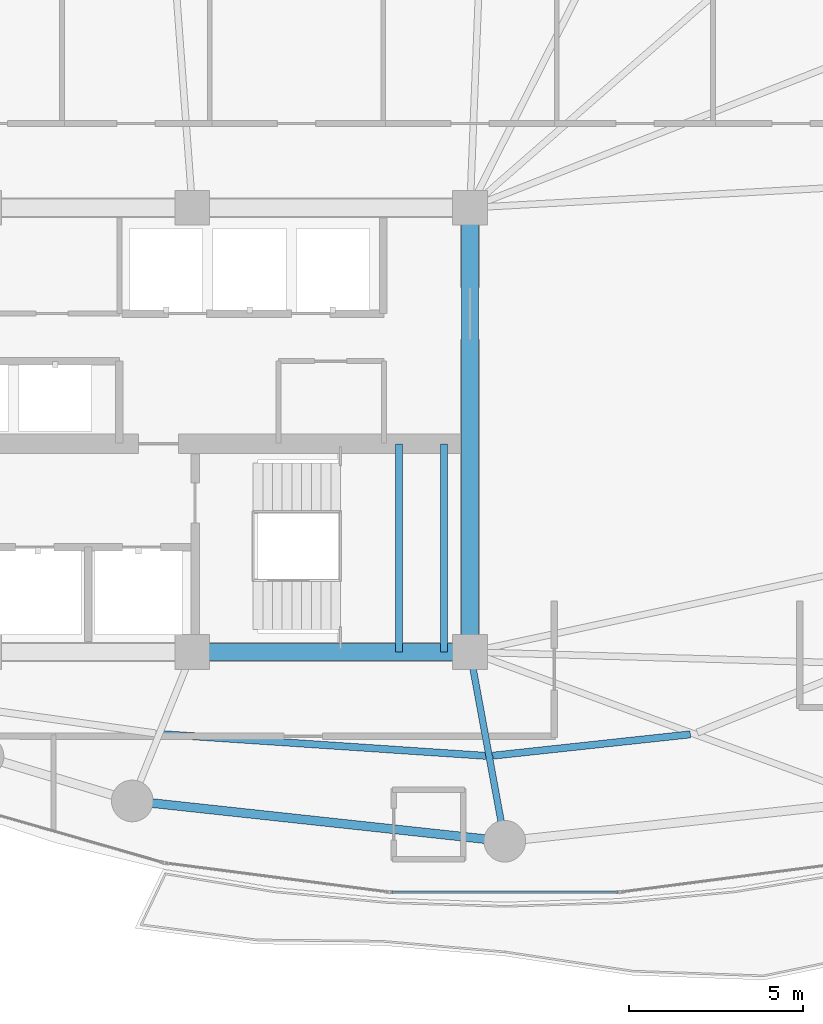
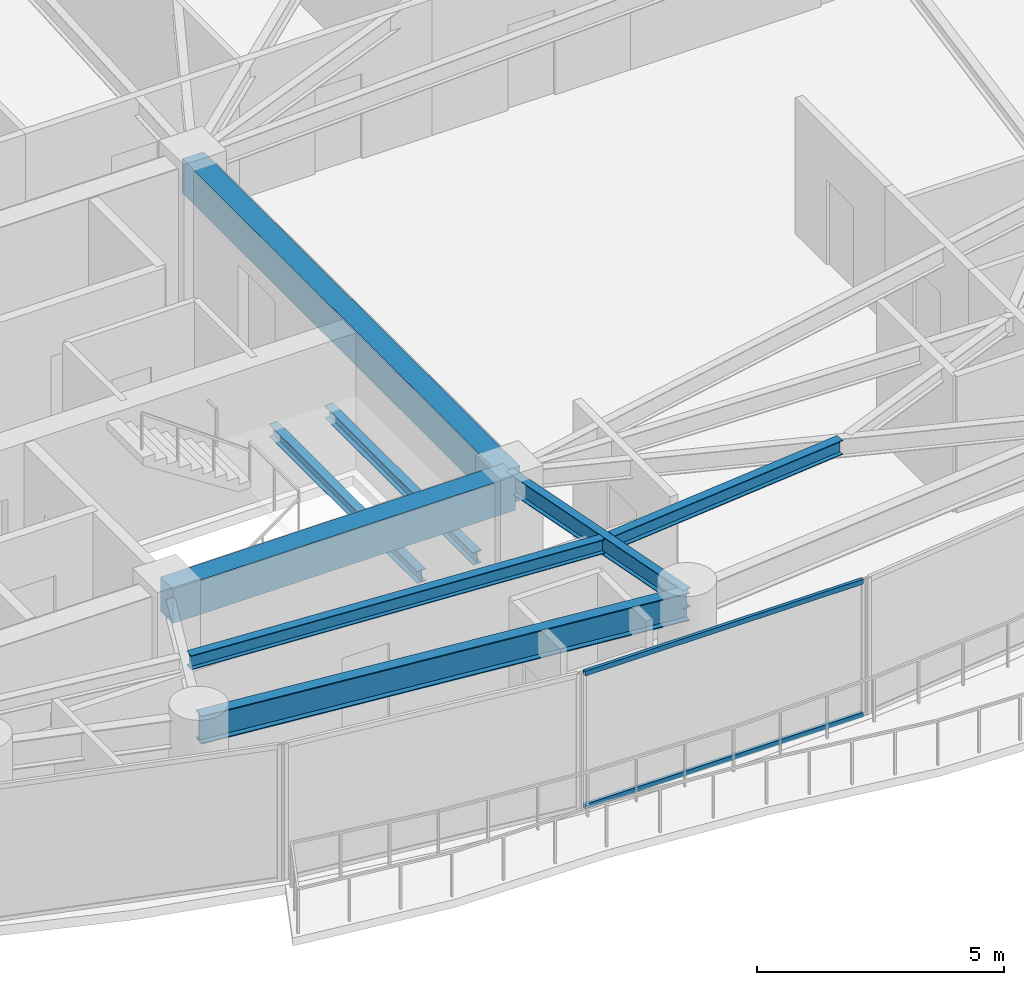
# One storey, part 6 of 28: 8 beams, 2 members, 1 element without a shape of its own.
"""IFC4 building model written with IfcOpenShell, lengths in metres."""

import ifcopenshell
import ifcopenshell.guid

model = None  # the IFC model being written
_history = None  # IfcOwnerHistory: only IFC2X3 demands one
_inside = {}  # id of a spatial element -> (the spatial element, [elements in it])
_under = {}  # id of a project, library or spatial element -> (it, [spatial elements below it])
_declared = {}  # id of a project -> (the project, [libraries it declares])
_typed = {}  # id of a type object -> (the type object, [elements of that type])
_made_of = {}  # id of a material, layer set ... -> (it, [elements and type objects made of it])


def new_model(schema):
    """Start an empty IFC model of exactly this schema.

    Asked for "IFC4X3", IfcOpenShell would pick the latest addendum, in which some entities
    have other attributes; the version numbers below select the first issue.
    IFC2X3 requires an IfcOwnerHistory on every rooted entity: one is made here for all.
    """
    global model, _history
    if schema == "IFC4X3":
        model = ifcopenshell.file(schema_version=(4, 3, 0, 0))
    else:
        model = ifcopenshell.file(schema=schema)
    _inside.clear()
    _under.clear()
    _declared.clear()
    _typed.clear()
    _made_of.clear()
    _history = None
    if model.schema == "IFC2X3":
        org = make("IfcOrganization", Name="unknown")
        user = make(
            "IfcPersonAndOrganization",
            ThePerson=make("IfcPerson", FamilyName="unknown"),
            TheOrganization=org,
        )
        app = make(
            "IfcApplication",
            ApplicationDeveloper=org,
            Version="unknown",
            ApplicationFullName="unknown",
            ApplicationIdentifier="unknown",
        )
        _history = make(
            "IfcOwnerHistory",
            OwningUser=user,
            OwningApplication=app,
            ChangeAction="ADDED",
            CreationDate=0,
        )
    return model


def make(cls, **values):
    """One entity of the class cls with the attributes given. An attribute that is None is left unset."""
    return model.create_entity(
        cls, **{name: value for name, value in values.items() if value is not None}
    )


def rooted(cls, **values):
    """An entity with a GlobalId (a new one), such as an element, a storey or a relation."""
    return make(cls, GlobalId=ifcopenshell.guid.new(), OwnerHistory=_history, **values)


def si_unit(unit_type, name, prefix=None):
    """IfcSIUnit, for example si_unit("LENGTHUNIT", "METRE", prefix="MILLI")."""
    return make("IfcSIUnit", UnitType=unit_type, Prefix=prefix, Name=name)


def assignment(units):
    """IfcUnitAssignment: the units of a project."""
    return None if units is None else make("IfcUnitAssignment", Units=units)


def point(xyz):
    """IfcCartesianPoint."""
    return None if xyz is None else make("IfcCartesianPoint", Coordinates=xyz)


def direction(xyz):
    """IfcDirection."""
    return None if xyz is None else make("IfcDirection", DirectionRatios=xyz)


def frame(location, z_axis=None, x_axis=None):
    """IfcAxis2Placement3D, a coordinate frame: its origin and axes. An axis left out is left unset."""
    return make(
        "IfcAxis2Placement3D",
        Location=point(location),
        Axis=direction(z_axis),
        RefDirection=direction(x_axis),
    )


def frame_2d(location, x_axis=None):
    """IfcAxis2Placement2D, a coordinate frame in the plane: its origin and x axis."""
    return make(
        "IfcAxis2Placement2D", Location=point(location), RefDirection=direction(x_axis)
    )


def origin():
    """The frame at (0, 0, 0) with its axes left unset."""
    return frame((0.0, 0.0, 0.0))


def origin_2d():
    """The frame at (0, 0) in the plane with its x axis left unset."""
    return frame_2d((0.0, 0.0))


def place(relative_to, where):
    """IfcLocalPlacement: puts the frame where relative to a parent placement (None: the world)."""
    return make(
        "IfcLocalPlacement", PlacementRelTo=relative_to, RelativePlacement=where
    )


def context(
    kind, dimensions, precision=None, world=None, true_north=None, identifier=None
):
    """IfcGeometricRepresentationContext, for example the 3D "Model" context."""
    return make(
        "IfcGeometricRepresentationContext",
        ContextIdentifier=identifier,
        ContextType=kind,
        CoordinateSpaceDimension=dimensions,
        Precision=precision,
        WorldCoordinateSystem=world,
        TrueNorth=true_north,
    )


def subcontext(parent, identifier, kind, view, scale=None):
    """IfcGeometricRepresentationSubContext, for example "Body" below "Model"."""
    return make(
        "IfcGeometricRepresentationSubContext",
        ContextIdentifier=identifier,
        ContextType=kind,
        ParentContext=parent,
        TargetScale=scale,
        TargetView=view,
    )


def project(units=None, contexts=None):
    """IfcProject with its units and contexts."""
    return rooted(
        "IfcProject",
        Name="project",
        RepresentationContexts=contexts,
        UnitsInContext=assignment(units),
    )


def spatial(cls, under=None, at=None, **own):
    """A site, building, storey or space (cls), placed at a placement, below another one or the project."""
    s = rooted(cls, ObjectPlacement=at, **own)
    if under is not None:
        _under.setdefault(under.id(), (under, []))[1].append(s)
    return s


def profile(cls, at=None, kind="AREA", **sizes):
    """A parametric profile (cls). Its sizes go by their IFC names, for example OverallWidth=200.0."""
    return make(cls, ProfileType=kind, Position=at, **sizes)


def rectangle(**sizes):
    """IfcRectangleProfileDef."""
    return profile("IfcRectangleProfileDef", **sizes)


def hollow_rectangle(**sizes):
    """IfcRectangleHollowProfileDef."""
    return profile("IfcRectangleHollowProfileDef", **sizes)


def i_section(**sizes):
    """IfcIShapeProfileDef."""
    return profile("IfcIShapeProfileDef", **sizes)


def extrude(swept, where, along, depth):
    """IfcExtrudedAreaSolid: the profile swept, set in the frame where, extruded along a direction by depth."""
    return make(
        "IfcExtrudedAreaSolid",
        SweptArea=swept,
        Position=where,
        ExtrudedDirection=direction(along),
        Depth=depth,
    )


def shape(context_of_items, identifier, shape_type, items):
    """IfcShapeRepresentation: the items that make up one representation, for example the "Body"."""
    return make(
        "IfcShapeRepresentation",
        ContextOfItems=context_of_items,
        RepresentationIdentifier=identifier,
        RepresentationType=shape_type,
        Items=items,
    )


def material(Name=None, Category=None):
    """IfcMaterial."""
    return make("IfcMaterial", Name=Name, Category=Category)


def layer(
    of_material, thickness, ventilated=None, Name=None, Category=None, Priority=None
):
    """IfcMaterialLayer: one layer of a wall or slab, of a material (None: an air gap)."""
    return make(
        "IfcMaterialLayer",
        Material=of_material,
        LayerThickness=thickness,
        IsVentilated=ventilated,
        Name=Name,
        Category=Category,
        Priority=Priority,
    )


def layer_set(layers, Name=None):
    """IfcMaterialLayerSet."""
    return make("IfcMaterialLayerSet", MaterialLayers=layers, LayerSetName=Name)


def material_profile(
    of_material, cross_section, Name=None, Category=None, Priority=None
):
    """IfcMaterialProfile: a cross section and its material."""
    return make(
        "IfcMaterialProfile",
        Name=Name,
        Material=of_material,
        Profile=cross_section,
        Priority=Priority,
        Category=Category,
    )


def profile_set(profiles, Name=None, composite=None):
    """IfcMaterialProfileSet."""
    return make(
        "IfcMaterialProfileSet",
        Name=Name,
        MaterialProfiles=profiles,
        CompositeProfile=composite,
    )


def made_of(thing, what):
    """Note that an element or type object is made of a material, layer set ...; save() writes the relation."""
    if what is not None:
        _made_of.setdefault(what.id(), (what, []))[1].append(thing)
    return thing


def type_object(cls, material=None, **own):
    """A type object (cls), such as IfcWallType, which elements share."""
    return made_of(rooted(cls, **own), material)


def element(
    cls,
    number,
    at=None,
    inside=None,
    cuts=None,
    type_object=None,
    material=None,
    context=None,
    identifier="Body",
    shape_type=None,
    held_by="IfcProductDefinitionShape",
    body=None,
    shapes=None,
    **own,
):
    """One element of the class cls, such as IfcWall. Its Tag is "e" and its number.

    at: its placement. inside: the storey or other place that contains it. cuts: it is an
    opening in that element (IfcRelVoidsElement). A single representation is given by context,
    identifier, shape_type and body (its items); several are given by shapes. held_by: the class
    of the entity that holds the representations. save() writes the other relations.
    """
    e = rooted(cls, Tag="e%d" % number, ObjectPlacement=at, **own)
    if body is not None:
        shapes = [shape(context, identifier, shape_type, body)]
    if shapes is not None:
        e.Representation = make(held_by, Representations=shapes)
    if inside is not None:
        _inside.setdefault(inside.id(), (inside, []))[1].append(e)
    if cuts is not None:
        rooted(
            "IfcRelVoidsElement", RelatingBuildingElement=cuts, RelatedOpeningElement=e
        )
    if type_object is not None:
        _typed.setdefault(type_object.id(), (type_object, []))[1].append(e)
    return made_of(e, material)


def aggregate(whole, parts):
    """IfcRelAggregates: a whole, such as a stair, and the parts it consists of."""
    return rooted("IfcRelAggregates", RelatingObject=whole, RelatedObjects=parts)


def save(model, path):
    """Write the relations noted so far, then the file.

    IfcRelAggregates (storeys below a building ...), IfcRelContainedInSpatialStructure (elements
    in a storey), IfcRelDefinesByType, IfcRelAssociatesMaterial and IfcRelDeclares: one each for
    every whole, place, type object, material and project.
    """
    for whole, parts in _under.values():
        aggregate(whole, parts)
    for where, things in _inside.values():
        rooted(
            "IfcRelContainedInSpatialStructure",
            RelatedElements=things,
            RelatingStructure=where,
        )
    for kind, things in _typed.values():
        rooted("IfcRelDefinesByType", RelatedObjects=things, RelatingType=kind)
    for what, things in _made_of.values():
        rooted("IfcRelAssociatesMaterial", RelatedObjects=things, RelatingMaterial=what)
    for by, libraries in _declared.values():
        rooted("IfcRelDeclares", RelatingContext=by, RelatedDefinitions=libraries)
    model.write(path)


model = new_model("IFC4")

# Units and contexts
model_context = context("Model", 3, precision=1e-05, world=origin(), true_north=direction((0.0, 1.0)))
body_context = subcontext(model_context, "Body", "Model", "MODEL_VIEW")
ifc_project = project(units=[si_unit("LENGTHUNIT", "METRE"), si_unit("AREAUNIT", "SQUARE_METRE"), si_unit("VOLUMEUNIT", "CUBIC_METRE"), si_unit("PLANEANGLEUNIT", "RADIAN"), si_unit("MASSUNIT", "GRAM", prefix="KILO")], contexts=[model_context])

# Site, building, storey
site_placement = place(None, origin())
site = spatial("IfcSite", under=ifc_project, at=site_placement, CompositionType="ELEMENT")
building_placement = place(site_placement, origin())
building = spatial("IfcBuilding", under=site, at=building_placement, Name="Kazevale Care Tower and Concert Hall", CompositionType="ELEMENT")
storey_placement = place(building_placement, frame((0.0, 0.0, 106.199951171875)))
storey = spatial("IfcBuildingStorey", under=building, at=storey_placement, Name="L27", CompositionType="ELEMENT", Elevation=106.199951171875)

# Curtain wall, members
ifc_material_1 = material(Name="Aluminium 6063-T6 and Low-E Glass", Category="aluminium")
ifc_layer = layer(ifc_material_1, 0.179931640625)
ifc_layer_set = layer_set([ifc_layer], Name="Aluminium 6063-T6 and Low-E Glass")
curtain_wall_type = type_object("IfcCurtainWallType", Name="Sheltered Concave Balcony Curtain Wall CW-5", PredefinedType="NOTDEFINED", material=ifc_layer_set)
curtain_wall_placement = place(storey_placement, origin())
curtain_wall = element("IfcCurtainWall", 1, at=curtain_wall_placement, inside=storey, type_object=curtain_wall_type, Name="cw:L27:f06", PredefinedType="NOTDEFINED")
ifc_material_2 = material(Name="Aluminium 6063-T6", Category="aluminium")
ifc_material_profile_1 = material_profile(ifc_material_2, hollow_rectangle(XDim=0.074951171875, YDim=0.1201171875, WallThickness=0.00390625, at=origin_2d()), Name="ALU75x120x4")
ifc_profile_set_1 = profile_set([ifc_material_profile_1], Name="Aluminium 6063-T6")
member_type = type_object("IfcMemberType", Name="CW-5 Transom ALU75x120x4", PredefinedType="USERDEFINED", material=ifc_profile_set_1)
member_1_placement = place(storey_placement, frame((48.25, 16.68408203125, 0.03759765625), z_axis=(-1.0, 0.0, 0.0), x_axis=(0.0, -1.0, 0.0)))
member_1 = element("IfcMember", 2, at=member_1_placement, type_object=member_type, Name="CW-5 transom 1.1", ObjectType="TRANSOM", PredefinedType="USERDEFINED", context=body_context, shape_type="SweptSolid", body=[
    extrude(hollow_rectangle(XDim=0.074951171875, YDim=0.1201171875, WallThickness=0.00390625, at=origin_2d()), origin(), (0.0, 0.0, 1.0), 6.5),
])
member_2_placement = place(storey_placement, frame((48.25, 16.68408203125, 3.322509765625), z_axis=(-1.0, 0.0, 0.0), x_axis=(0.0, -1.0, 0.0)))
member_2 = element("IfcMember", 3, at=member_2_placement, type_object=member_type, Name="CW-5 transom 1.2", ObjectType="TRANSOM", PredefinedType="USERDEFINED", context=body_context, shape_type="SweptSolid", body=[
    extrude(hollow_rectangle(XDim=0.074951171875, YDim=0.1201171875, WallThickness=0.00390625, at=origin_2d()), origin(), (0.0, 0.0, 1.0), 6.5),
])
aggregate(curtain_wall, [member_1, member_2])

# Beams
ifc_material_3 = material(Name="Concrete C60", Category="concrete")
ifc_material_profile_2 = material_profile(ifc_material_3, rectangle(XDim=0.5, YDim=0.85009765625, at=origin_2d()), Name="RC-B500x850")
ifc_profile_set_2 = profile_set([ifc_material_profile_2], Name="Concrete C60")
beam_type_1 = type_object("IfcBeamType", Name="Core Coupling Beam RC500x850", PredefinedType="LINTEL", material=ifc_profile_set_2)
beam_1_placement = place(storey_placement, frame((36.0, 23.60009765625, 2.93505859375), z_axis=(1.0, 0.0, 0.0), x_axis=(0.0, 1.0, 0.0)))
element("IfcBeam", 4, at=beam_1_placement, inside=storey, type_object=beam_type_1, Name="beam:L27:coretie:3", PredefinedType="LINTEL", context=body_context, shape_type="SweptSolid", body=[
    extrude(rectangle(XDim=0.5, YDim=0.85009765625, at=origin_2d()), origin(), (0.0, 0.0, 1.0), 8.0),
])
beam_2_placement = place(storey_placement, frame((44.0, 23.60009765625, 2.93505859375), z_axis=(0.0, 1.0, 0.0), x_axis=(-1.0, 0.0, 0.0)))
element("IfcBeam", 5, at=beam_2_placement, inside=storey, type_object=beam_type_1, Name="beam:L27:coretie:4", PredefinedType="LINTEL", context=body_context, shape_type="SweptSolid", body=[
    extrude(rectangle(XDim=0.5, YDim=0.85009765625, at=origin_2d()), origin(), (0.0, 0.0, 1.0), 12.7998046875),
])
ifc_material_4 = material(Name="Steel ASTM A572 Gr 50", Category="steel")
ifc_material_profile_3 = material_profile(ifc_material_4, i_section(OverallWidth=0.19091796875, OverallDepth=0.4599609375, WebThickness=0.010009765625, FlangeThickness=0.01611328125, at=origin_2d()), Name="W460x82")
ifc_profile_set_3 = profile_set([ifc_material_profile_3], Name="Steel ASTM A572 Gr 50")
beam_type_2 = type_object("IfcBeamType", Name="Radial Floor Beam W460x82", PredefinedType="BEAM", material=ifc_profile_set_3)
beam_3_placement = place(storey_placement, frame((44.0, 23.60009765625, 3.130126953125), z_axis=(0.180467114023, -0.983581018908, 0.0), x_axis=(0.983581018908, 0.180467114023, 0.0)))
element("IfcBeam", 6, at=beam_3_placement, inside=storey, type_object=beam_type_2, Name="beam:L27:rad:13", PredefinedType="BEAM", context=body_context, shape_type="SweptSolid", body=[
    extrude(i_section(OverallWidth=0.19091796875, OverallDepth=0.4599609375, WebThickness=0.010009765625, FlangeThickness=0.01611328125, at=origin_2d()), origin(), (0.0, 0.0, 1.0), 5.541259765625),
])
ifc_material_profile_4 = material_profile(ifc_material_4, i_section(OverallWidth=0.205078125, OverallDepth=0.35400390625, WebThickness=0.009521484375, FlangeThickness=0.016845703125, at=origin_2d()), Name="W360x79")
ifc_profile_set_4 = profile_set([ifc_material_profile_4], Name="Steel ASTM A572 Gr 50")
beam_type_3 = type_object("IfcBeamType", Name="Secondary Floor Joist W360x79", PredefinedType="JOIST", material=ifc_profile_set_4)
beam_4_placement = place(storey_placement, frame((35.153076171875, 21.23291015625, 3.18310546875), z_axis=(0.997761314569, -0.06687569925, 0.0), x_axis=(0.06687569925, 0.997761314569, 0.0)))
element("IfcBeam", 7, at=beam_4_placement, inside=storey, type_object=beam_type_3, Name="beam:L27:joist:12", PredefinedType="JOIST", context=body_context, shape_type="SweptSolid", body=[
    extrude(i_section(OverallWidth=0.205078125, OverallDepth=0.35400390625, WebThickness=0.009521484375, FlangeThickness=0.016845703125, at=origin_2d()), origin(), (0.0, 0.0, 1.0), 9.312744140625),
])
beam_5_placement = place(storey_placement, frame((44.654052734375, 20.614013671875, 3.18310546875), z_axis=(0.994215541126, 0.107403248482, 0.0), x_axis=(-0.107403248482, 0.994215541126, 0.0)))
element("IfcBeam", 8, at=beam_5_placement, inside=storey, type_object=beam_type_3, Name="beam:L27:joist:13", PredefinedType="JOIST", context=body_context, shape_type="SweptSolid", body=[
    extrude(i_section(OverallWidth=0.205078125, OverallDepth=0.35400390625, WebThickness=0.009521484375, FlangeThickness=0.016845703125, at=origin_2d()), origin(), (0.0, 0.0, 1.0), 5.72607421875),
])
ifc_material_profile_5 = material_profile(ifc_material_4, i_section(OverallWidth=0.202880859375, OverallDepth=0.302978515625, WebThickness=0.007568359375, FlangeThickness=0.01318359375, at=origin_2d()), Name="W310x60")
ifc_profile_set_5 = profile_set([ifc_material_profile_5], Name="Steel ASTM A572 Gr 50")
beam_type_4 = type_object("IfcBeamType", Name="Stair & Balcony Trimmer W310x60", PredefinedType="BEAM", material=ifc_profile_set_5)
for number, where, z_axis, x_axis, name in (
    (9, (41.949951171875, 23.60009765625, 1.448486328125), (0.0, 1.0, 0.0), (-1.0, 0.0, 0.0), "beam:L27:sttrim:ST2"),
    (10, (43.25, 23.60009765625, 1.448486328125), (0.0, 1.0, 0.0), (-1.0, 0.0, 0.0), "beam:L27:sttrim:ST2b"),
):
    element("IfcBeam", number, at=place(storey_placement, frame(where, z_axis=z_axis, x_axis=x_axis)), inside=storey, type_object=beam_type_4, Name=name, PredefinedType="BEAM", context=body_context, shape_type="SweptSolid", body=[
        extrude(i_section(OverallWidth=0.202880859375, OverallDepth=0.302978515625, WebThickness=0.007568359375, FlangeThickness=0.01318359375, at=origin_2d()), origin(), (0.0, 0.0, 1.0), 6.0),
    ])
ifc_material_profile_6 = material_profile(ifc_material_4, i_section(OverallWidth=0.256103515625, OverallDepth=0.693115234375, WebThickness=0.014404296875, FlangeThickness=0.023681640625, at=origin_2d()), Name="W690x170")
ifc_profile_set_6 = profile_set([ifc_material_profile_6], Name="Steel ASTM A572 Gr 50")
beam_type_5 = type_object("IfcBeamType", Name="Waist Ring Beam W690x170", PredefinedType="BEAM", material=ifc_profile_set_6)
beam_6_placement = place(storey_placement, frame((34.27001953125, 19.31005859375, 3.013427734375), z_axis=(0.994205479487, -0.107496346724, 0.0), x_axis=(0.107496346724, 0.994205479487, 0.0)))
element("IfcBeam", 11, at=beam_6_placement, inside=storey, type_object=beam_type_5, Name="beam:L27:ring:12", PredefinedType="BEAM", context=body_context, shape_type="SweptSolid", body=[
    extrude(i_section(OverallWidth=0.256103515625, OverallDepth=0.693115234375, WebThickness=0.014404296875, FlangeThickness=0.023681640625, at=origin_2d()), origin(), (0.0, 0.0, 1.0), 10.79248046875),
])

save(model, "model.ifc")
